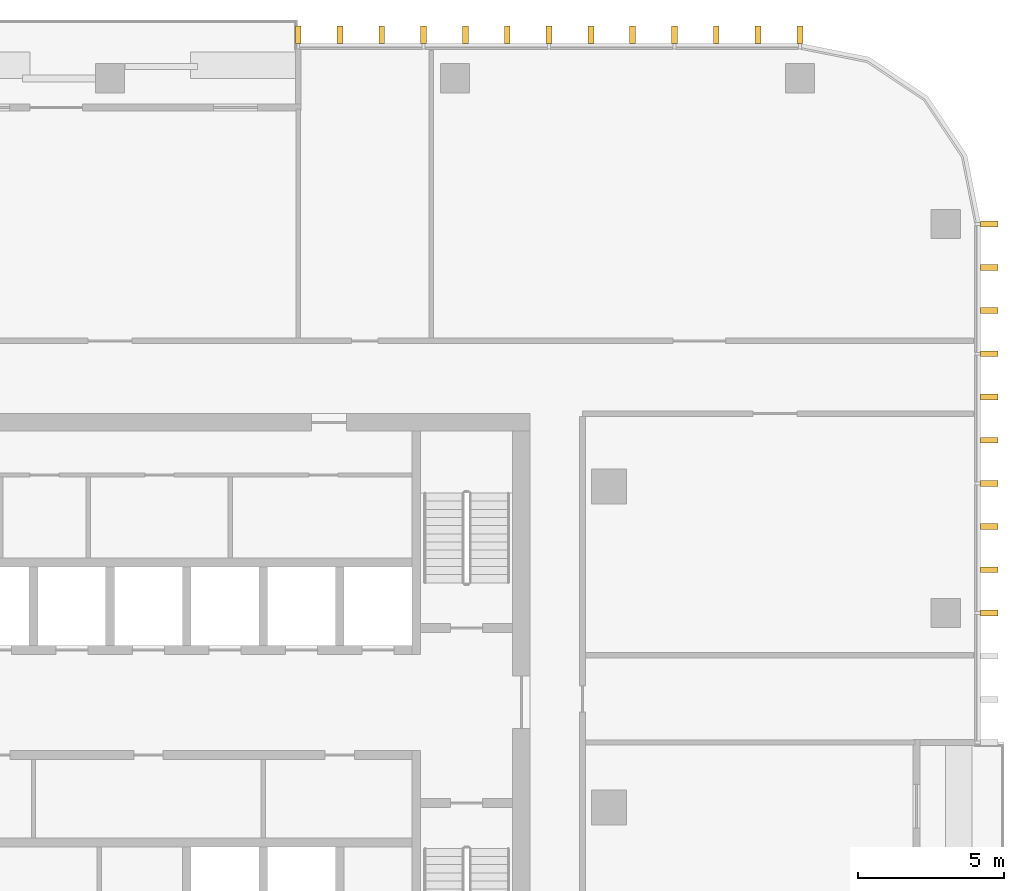
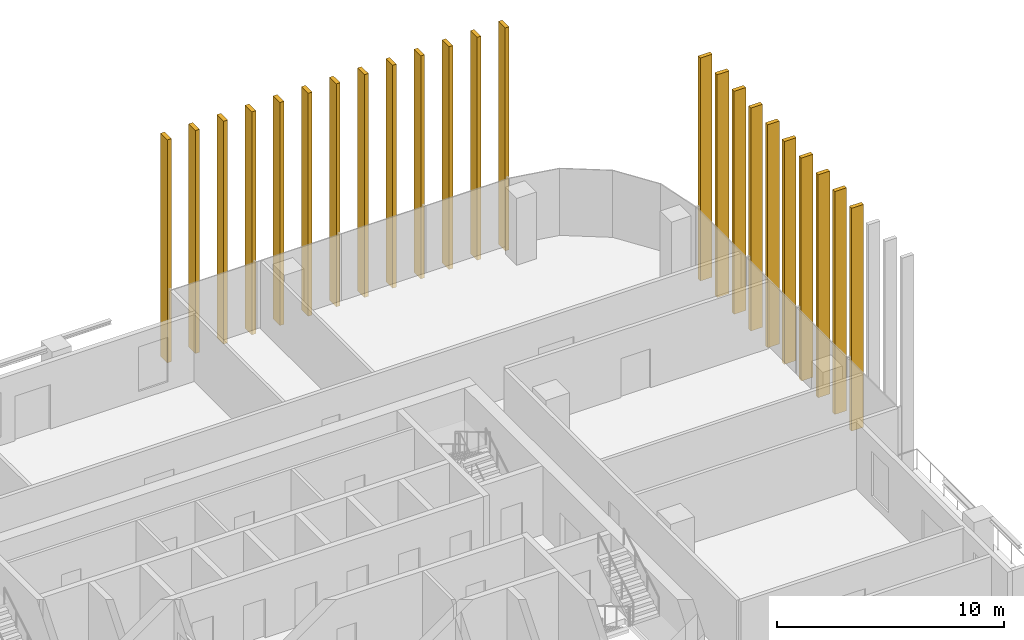
# One storey, part 16 of 16: 23 shading devices.
"""IFC4 building model written with IfcOpenShell, lengths in metres."""

from ifc_helpers import new_model, si_unit, direction, frame, origin, origin_2d, place, context, subcontext, project, spatial, rectangle, extrude, material, type_object, element, save


model = new_model("IFC4")

# Units and contexts
model_context = context("Model", 3, precision=1e-05, world=origin(), true_north=direction((0.0, 1.0)))
body_context = subcontext(model_context, "Body", "Model", "MODEL_VIEW")
ifc_project = project(units=[si_unit("LENGTHUNIT", "METRE"), si_unit("AREAUNIT", "SQUARE_METRE"), si_unit("VOLUMEUNIT", "CUBIC_METRE"), si_unit("PLANEANGLEUNIT", "RADIAN"), si_unit("MASSUNIT", "GRAM", prefix="KILO")], contexts=[model_context])

# Site, building, storey
site_placement = place(None, origin())
site = spatial("IfcSite", under=ifc_project, at=site_placement, CompositionType="ELEMENT")
building_placement = place(site_placement, origin())
building = spatial("IfcBuilding", under=site, at=building_placement, Name="Mopane Tessera Tower", CompositionType="ELEMENT")
storey_placement = place(building_placement, frame((0.0, 0.0, 279.39990234375)))
storey = spatial("IfcBuildingStorey", under=building, at=storey_placement, Name="L60", CompositionType="ELEMENT", Elevation=279.39990234375)

# Shading devices
ifc_material = material(Name="Glazed ceramic tile")
shading_device_type = type_object("IfcShadingDeviceType", Name="Ceramic tile fin 600 x 200 mm", PredefinedType="USERDEFINED", material=ifc_material)
for number, where, z_axis, x_axis, name in (
    (1, (30.14990234375, 6.666748046875, -0.39990234375), (0.0, 0.0, 1.0), (0.0, 1.0, 0.0), "e:fin:L60:E:6:0"),
    (2, (30.14990234375, 8.148193359375, -0.39990234375), (0.0, 0.0, 1.0), (0.0, 1.0, 0.0), "e:fin:L60:E:6:1"),
    (3, (30.14990234375, 9.629638671875, -0.39990234375), (0.0, 0.0, 1.0), (0.0, 1.0, 0.0), "e:fin:L60:E:6:2"),
    (4, (30.14990234375, 11.111083984375, -0.39990234375), (0.0, 0.0, 1.0), (0.0, 1.0, 0.0), "e:fin:L60:E:7:0"),
    (5, (30.14990234375, 12.592529296875, -0.39990234375), (0.0, 0.0, 1.0), (0.0, 1.0, 0.0), "e:fin:L60:E:7:1"),
    (6, (30.14990234375, 14.073974609375, -0.39990234375), (0.0, 0.0, 1.0), (0.0, 1.0, 0.0), "e:fin:L60:E:7:2"),
    (7, (30.14990234375, 15.5556640625, -0.39990234375), (0.0, 0.0, 1.0), (0.0, 1.0, 0.0), "e:fin:L60:E:8:0"),
    (8, (30.14990234375, 17.037109375, -0.39990234375), (0.0, 0.0, 1.0), (0.0, 1.0, 0.0), "e:fin:L60:E:8:1"),
    (9, (30.14990234375, 18.5185546875, -0.39990234375), (0.0, 0.0, 1.0), (0.0, 1.0, 0.0), "e:fin:L60:E:8:2"),
    (10, (30.14990234375, 20.0, -0.39990234375), (0.0, 0.0, 1.0), (0.0, 1.0, 0.0), "e:fin:L60:E:8:3"),
    (11, (23.64990234375, 26.5, -0.39990234375), (0.0, 0.0, 1.0), (-1.0, 0.0, 0.0), "e:fin:L60:N:0:0"),
    (12, (22.216552734375, 26.5, -0.39990234375), (0.0, 0.0, 1.0), (-1.0, 0.0, 0.0), "e:fin:L60:N:0:1"),
    (13, (20.783447265625, 26.5, -0.39990234375), (0.0, 0.0, 1.0), (-1.0, 0.0, 0.0), "e:fin:L60:N:0:2"),
    (14, (19.35009765625, 26.5, -0.39990234375), (0.0, 0.0, 1.0), (-1.0, 0.0, 0.0), "e:fin:L60:N:1:0"),
    (15, (17.916748046875, 26.5, -0.39990234375), (0.0, 0.0, 1.0), (-1.0, 0.0, 0.0), "e:fin:L60:N:1:1"),
    (16, (16.4833984375, 26.5, -0.39990234375), (0.0, 0.0, 1.0), (-1.0, 0.0, 0.0), "e:fin:L60:N:1:2"),
    (17, (15.050048828125, 26.5, -0.39990234375), (0.0, 0.0, 1.0), (-1.0, 0.0, 0.0), "e:fin:L60:N:2:0"),
    (18, (13.61669921875, 26.5, -0.39990234375), (0.0, 0.0, 1.0), (-1.0, 0.0, 0.0), "e:fin:L60:N:2:1"),
    (19, (12.183349609375, 26.5, -0.39990234375), (0.0, 0.0, 1.0), (-1.0, 0.0, 0.0), "e:fin:L60:N:2:2"),
    (20, (10.75, 26.5, -0.39990234375), (0.0, 0.0, 1.0), (-1.0, 0.0, 0.0), "e:fin:L60:N:3:0"),
    (21, (9.316650390625, 26.5, -0.39990234375), (0.0, 0.0, 1.0), (-1.0, 0.0, 0.0), "e:fin:L60:N:3:1"),
    (22, (7.88330078125, 26.5, -0.39990234375), (0.0, 0.0, 1.0), (-1.0, 0.0, 0.0), "e:fin:L60:N:3:2"),
    (23, (6.449951171875, 26.5, -0.39990234375), (0.0, 0.0, 1.0), (-1.0, 0.0, 0.0), "e:fin:L60:N:3:3"),
):
    element("IfcShadingDevice", number, at=place(storey_placement, frame(where, z_axis=z_axis, x_axis=x_axis)), inside=storey, type_object=shading_device_type, Name=name, ObjectType="FIN", PredefinedType="USERDEFINED", context=body_context, shape_type="SweptSolid", body=[
        extrude(rectangle(XDim=0.199951171875, YDim=0.60009765625, at=origin_2d()), origin(), (0.0, 0.0, 1.0), 12.0),
    ])

save(model, "model.ifc")
